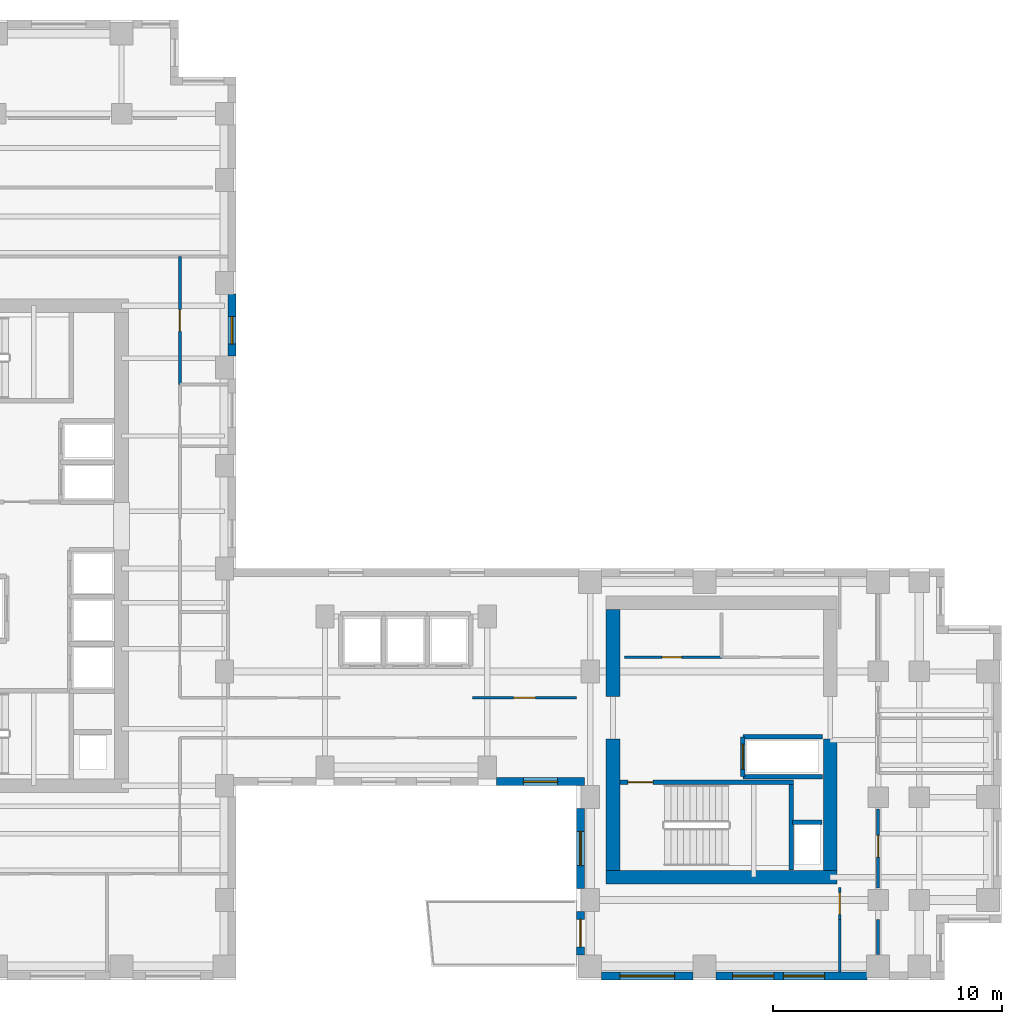
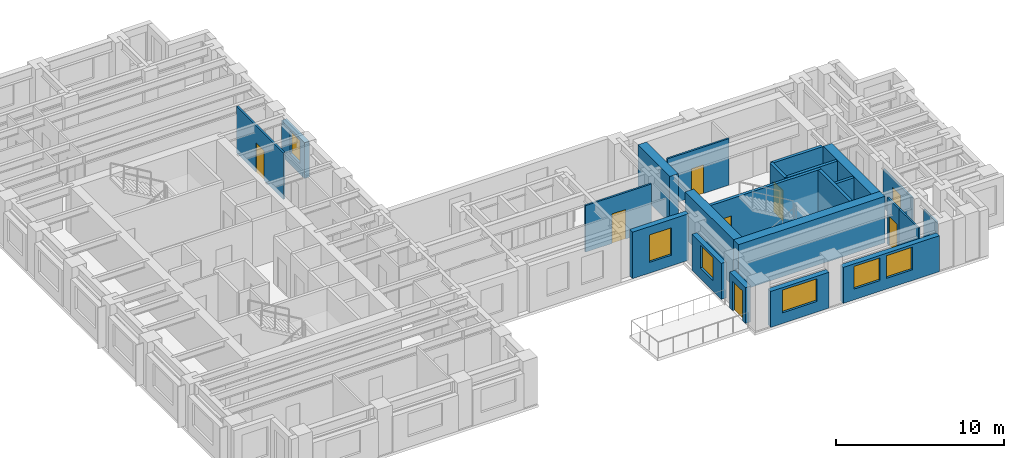
# One storey, part 6 of 11: 23 walls, 8 doors, 6 windows, 14 openings.
"""IFC4 building model written with IfcOpenShell, lengths in metres."""

import ifcopenshell
import ifcopenshell.guid

model = None  # the IFC model being written
_history = None  # IfcOwnerHistory: only IFC2X3 demands one
_inside = {}  # id of a spatial element -> (the spatial element, [elements in it])
_under = {}  # id of a project, library or spatial element -> (it, [spatial elements below it])
_declared = {}  # id of a project -> (the project, [libraries it declares])
_typed = {}  # id of a type object -> (the type object, [elements of that type])
_made_of = {}  # id of a material, layer set ... -> (it, [elements and type objects made of it])


def new_model(schema):
    """Start an empty IFC model of exactly this schema.

    Asked for "IFC4X3", IfcOpenShell would pick the latest addendum, in which some entities
    have other attributes; the version numbers below select the first issue.
    IFC2X3 requires an IfcOwnerHistory on every rooted entity: one is made here for all.
    """
    global model, _history
    if schema == "IFC4X3":
        model = ifcopenshell.file(schema_version=(4, 3, 0, 0))
    else:
        model = ifcopenshell.file(schema=schema)
    _inside.clear()
    _under.clear()
    _declared.clear()
    _typed.clear()
    _made_of.clear()
    _history = None
    if model.schema == "IFC2X3":
        org = make("IfcOrganization", Name="unknown")
        user = make(
            "IfcPersonAndOrganization",
            ThePerson=make("IfcPerson", FamilyName="unknown"),
            TheOrganization=org,
        )
        app = make(
            "IfcApplication",
            ApplicationDeveloper=org,
            Version="unknown",
            ApplicationFullName="unknown",
            ApplicationIdentifier="unknown",
        )
        _history = make(
            "IfcOwnerHistory",
            OwningUser=user,
            OwningApplication=app,
            ChangeAction="ADDED",
            CreationDate=0,
        )
    return model


def make(cls, **values):
    """One entity of the class cls with the attributes given. An attribute that is None is left unset."""
    return model.create_entity(
        cls, **{name: value for name, value in values.items() if value is not None}
    )


def rooted(cls, **values):
    """An entity with a GlobalId (a new one), such as an element, a storey or a relation."""
    return make(cls, GlobalId=ifcopenshell.guid.new(), OwnerHistory=_history, **values)


def si_unit(unit_type, name, prefix=None):
    """IfcSIUnit, for example si_unit("LENGTHUNIT", "METRE", prefix="MILLI")."""
    return make("IfcSIUnit", UnitType=unit_type, Prefix=prefix, Name=name)


def assignment(units):
    """IfcUnitAssignment: the units of a project."""
    return None if units is None else make("IfcUnitAssignment", Units=units)


def point(xyz):
    """IfcCartesianPoint."""
    return None if xyz is None else make("IfcCartesianPoint", Coordinates=xyz)


def direction(xyz):
    """IfcDirection."""
    return None if xyz is None else make("IfcDirection", DirectionRatios=xyz)


def frame(location, z_axis=None, x_axis=None):
    """IfcAxis2Placement3D, a coordinate frame: its origin and axes. An axis left out is left unset."""
    return make(
        "IfcAxis2Placement3D",
        Location=point(location),
        Axis=direction(z_axis),
        RefDirection=direction(x_axis),
    )


def frame_2d(location, x_axis=None):
    """IfcAxis2Placement2D, a coordinate frame in the plane: its origin and x axis."""
    return make(
        "IfcAxis2Placement2D", Location=point(location), RefDirection=direction(x_axis)
    )


def origin():
    """The frame at (0, 0, 0) with its axes left unset."""
    return frame((0.0, 0.0, 0.0))


def place(relative_to, where):
    """IfcLocalPlacement: puts the frame where relative to a parent placement (None: the world)."""
    return make(
        "IfcLocalPlacement", PlacementRelTo=relative_to, RelativePlacement=where
    )


def context(
    kind, dimensions, precision=None, world=None, true_north=None, identifier=None
):
    """IfcGeometricRepresentationContext, for example the 3D "Model" context."""
    return make(
        "IfcGeometricRepresentationContext",
        ContextIdentifier=identifier,
        ContextType=kind,
        CoordinateSpaceDimension=dimensions,
        Precision=precision,
        WorldCoordinateSystem=world,
        TrueNorth=true_north,
    )


def subcontext(parent, identifier, kind, view, scale=None):
    """IfcGeometricRepresentationSubContext, for example "Body" below "Model"."""
    return make(
        "IfcGeometricRepresentationSubContext",
        ContextIdentifier=identifier,
        ContextType=kind,
        ParentContext=parent,
        TargetScale=scale,
        TargetView=view,
    )


def project(units=None, contexts=None):
    """IfcProject with its units and contexts."""
    return rooted(
        "IfcProject",
        Name="project",
        RepresentationContexts=contexts,
        UnitsInContext=assignment(units),
    )


def spatial(cls, under=None, at=None, **own):
    """A site, building, storey or space (cls), placed at a placement, below another one or the project."""
    s = rooted(cls, ObjectPlacement=at, **own)
    if under is not None:
        _under.setdefault(under.id(), (under, []))[1].append(s)
    return s


def profile(cls, at=None, kind="AREA", **sizes):
    """A parametric profile (cls). Its sizes go by their IFC names, for example OverallWidth=200.0."""
    return make(cls, ProfileType=kind, Position=at, **sizes)


def rectangle(**sizes):
    """IfcRectangleProfileDef."""
    return profile("IfcRectangleProfileDef", **sizes)


def extrude(swept, where, along, depth):
    """IfcExtrudedAreaSolid: the profile swept, set in the frame where, extruded along a direction by depth."""
    return make(
        "IfcExtrudedAreaSolid",
        SweptArea=swept,
        Position=where,
        ExtrudedDirection=direction(along),
        Depth=depth,
    )


def shape(context_of_items, identifier, shape_type, items):
    """IfcShapeRepresentation: the items that make up one representation, for example the "Body"."""
    return make(
        "IfcShapeRepresentation",
        ContextOfItems=context_of_items,
        RepresentationIdentifier=identifier,
        RepresentationType=shape_type,
        Items=items,
    )


def source(mapping_origin, context_of_items, identifier, shape_type, items):
    """IfcRepresentationMap: a shape defined once, which mapped items show again and again."""
    return make(
        "IfcRepresentationMap",
        MappingOrigin=mapping_origin,
        MappedRepresentation=shape(context_of_items, identifier, shape_type, items),
    )


def transform(
    local_origin,
    x_axis=None,
    y_axis=None,
    z_axis=None,
    scale=None,
    scale2=None,
    scale3=None,
    uniform=True,
):
    """IfcCartesianTransformationOperator3D, or its non-uniform kind. x_axis, y_axis, z_axis: its Axis1, 2, 3."""
    if uniform:
        return make(
            "IfcCartesianTransformationOperator3D",
            Axis1=direction(x_axis),
            Axis2=direction(y_axis),
            LocalOrigin=point(local_origin),
            Scale=scale,
            Axis3=direction(z_axis),
        )
    return make(
        "IfcCartesianTransformationOperator3DnonUniform",
        Axis1=direction(x_axis),
        Axis2=direction(y_axis),
        LocalOrigin=point(local_origin),
        Scale=scale,
        Axis3=direction(z_axis),
        Scale2=scale2,
        Scale3=scale3,
    )


def mapped(mapping_source, mapping_target):
    """IfcMappedItem: shows the shape of a source again, moved by a transform."""
    return make(
        "IfcMappedItem", MappingSource=mapping_source, MappingTarget=mapping_target
    )


def material(Name=None, Category=None):
    """IfcMaterial."""
    return make("IfcMaterial", Name=Name, Category=Category)


def layer(
    of_material, thickness, ventilated=None, Name=None, Category=None, Priority=None
):
    """IfcMaterialLayer: one layer of a wall or slab, of a material (None: an air gap)."""
    return make(
        "IfcMaterialLayer",
        Material=of_material,
        LayerThickness=thickness,
        IsVentilated=ventilated,
        Name=Name,
        Category=Category,
        Priority=Priority,
    )


def layer_set(layers, Name=None):
    """IfcMaterialLayerSet."""
    return make("IfcMaterialLayerSet", MaterialLayers=layers, LayerSetName=Name)


def made_of(thing, what):
    """Note that an element or type object is made of a material, layer set ...; save() writes the relation."""
    if what is not None:
        _made_of.setdefault(what.id(), (what, []))[1].append(thing)
    return thing


def type_object(cls, material=None, **own):
    """A type object (cls), such as IfcWallType, which elements share."""
    return made_of(rooted(cls, **own), material)


def element(
    cls,
    number,
    at=None,
    inside=None,
    cuts=None,
    type_object=None,
    material=None,
    context=None,
    identifier="Body",
    shape_type=None,
    held_by="IfcProductDefinitionShape",
    body=None,
    shapes=None,
    **own,
):
    """One element of the class cls, such as IfcWall. Its Tag is "e" and its number.

    at: its placement. inside: the storey or other place that contains it. cuts: it is an
    opening in that element (IfcRelVoidsElement). A single representation is given by context,
    identifier, shape_type and body (its items); several are given by shapes. held_by: the class
    of the entity that holds the representations. save() writes the other relations.
    """
    e = rooted(cls, Tag="e%d" % number, ObjectPlacement=at, **own)
    if body is not None:
        shapes = [shape(context, identifier, shape_type, body)]
    if shapes is not None:
        e.Representation = make(held_by, Representations=shapes)
    if inside is not None:
        _inside.setdefault(inside.id(), (inside, []))[1].append(e)
    if cuts is not None:
        rooted(
            "IfcRelVoidsElement", RelatingBuildingElement=cuts, RelatedOpeningElement=e
        )
    if type_object is not None:
        _typed.setdefault(type_object.id(), (type_object, []))[1].append(e)
    return made_of(e, material)


def fill(opening, filler):
    """IfcRelFillsElement: the door or window that sits in an opening."""
    return rooted(
        "IfcRelFillsElement",
        RelatingOpeningElement=opening,
        RelatedBuildingElement=filler,
    )


def aggregate(whole, parts):
    """IfcRelAggregates: a whole, such as a stair, and the parts it consists of."""
    return rooted("IfcRelAggregates", RelatingObject=whole, RelatedObjects=parts)


def save(model, path):
    """Write the relations noted so far, then the file.

    IfcRelAggregates (storeys below a building ...), IfcRelContainedInSpatialStructure (elements
    in a storey), IfcRelDefinesByType, IfcRelAssociatesMaterial and IfcRelDeclares: one each for
    every whole, place, type object, material and project.
    """
    for whole, parts in _under.values():
        aggregate(whole, parts)
    for where, things in _inside.values():
        rooted(
            "IfcRelContainedInSpatialStructure",
            RelatedElements=things,
            RelatingStructure=where,
        )
    for kind, things in _typed.values():
        rooted("IfcRelDefinesByType", RelatedObjects=things, RelatingType=kind)
    for what, things in _made_of.values():
        rooted("IfcRelAssociatesMaterial", RelatedObjects=things, RelatingMaterial=what)
    for by, libraries in _declared.values():
        rooted("IfcRelDeclares", RelatingContext=by, RelatedDefinitions=libraries)
    model.write(path)


model = new_model("IFC4")

# Units and contexts
model_context = context("Model", 3, precision=1e-05, world=origin(), true_north=direction((0.0, 1.0)))
body_context = subcontext(model_context, "Body", "Model", "MODEL_VIEW")
ifc_project = project(units=[si_unit("LENGTHUNIT", "METRE"), si_unit("AREAUNIT", "SQUARE_METRE"), si_unit("VOLUMEUNIT", "CUBIC_METRE"), si_unit("PLANEANGLEUNIT", "RADIAN"), si_unit("MASSUNIT", "GRAM", prefix="KILO")], contexts=[model_context])

# Site, building, storey
site_placement = place(None, origin())
site = spatial("IfcSite", under=ifc_project, at=site_placement, CompositionType="ELEMENT")
building_placement = place(site_placement, origin())
building = spatial("IfcBuilding", under=site, at=building_placement, Name="Kharzan Plaza Tower", CompositionType="ELEMENT")
storey_placement = place(building_placement, frame((0.0, 0.0, 193.5)))
storey = spatial("IfcBuildingStorey", under=building, at=storey_placement, Name="L52", CompositionType="ELEMENT", Elevation=193.5)

# Wall, opening, window
ifc_material_1 = material(Name="Concrete C40/50", Category="concrete")
ifc_layer_1 = layer(ifc_material_1, 0.35009765625)
ifc_layer_set_1 = layer_set([ifc_layer_1], Name="Concrete C40/50")
wall_type_1 = type_object("IfcWallType", Name="WL-EXT-MAS-Z3", PredefinedType="SOLIDWALL", material=ifc_layer_set_1)
wall_1_placement = place(storey_placement, frame((30.89794921875, 8.675048828125, 0.0), z_axis=(0.0, 0.0, 1.0), x_axis=(1.0, 0.0, 0.0)))
wall_1 = element("IfcWall", 1, at=wall_1_placement, inside=storey, type_object=wall_type_1, Name="L52 Masonry-Frame Exterior Wall 28", PredefinedType="SOLIDWALL", context=body_context, shape_type="SweptSolid", body=[
    extrude(rectangle(XDim=3.85205078125, YDim=0.35009765625, at=frame_2d((1.926025390625, 0.0))), origin(), (0.0, 0.0, 1.0), 3.385009765625),
])
opening_1_placement = place(wall_1_placement, frame((1.176025390625, 0.0, 0.780029296875)))
opening_1 = element("IfcOpeningElement", 2, at=opening_1_placement, cuts=wall_1, Name="Opening W5", PredefinedType="OPENING", context=body_context, shape_type="SweptSolid", body=[
    extrude(rectangle(XDim=1.5, YDim=2.0, at=frame_2d((0.75, 1.0))), frame((0.0, 0.18505859375, 0.0), z_axis=(0.0, -1.0, 0.0), x_axis=(1.0, 0.0, 0.0)), (0.0, 0.0, 1.0), 0.3701171875),
])
ifc_material_2 = material(Name="Low-E Double Glazing", Category="glass")
window_type_1 = type_object("IfcWindowType", Name="WN-SLT-1500x2000", PartitioningType="SINGLE_PANEL", PredefinedType="WINDOW", material=ifc_material_2)
shared_shape_1 = source(origin(), body_context, "Body", "SweptSolid", [
    extrude(rectangle(XDim=1.5, YDim=2.0, at=frame_2d((0.75, 1.0))), frame((0.0, 0.030029296875, 0.0), z_axis=(0.0, -1.0, 0.0), x_axis=(1.0, 0.0, 0.0)), (0.0, 0.0, 1.0), 0.06005859375),
])
window_1_placement = place(opening_1_placement, origin())
window_1 = element("IfcWindow", 3, at=window_1_placement, inside=storey, type_object=window_type_1, Name="L52 Recessed Solar-Control Window 28-1", OverallHeight=2.0, OverallWidth=1.5, PartitioningType="SINGLE_PANEL", PredefinedType="WINDOW", context=body_context, shape_type="MappedRepresentation", body=[
    mapped(shared_shape_1, transform((0.0, 0.0, 0.0), x_axis=(1.0, 0.0, 0.0), y_axis=(0.0, 1.0, 0.0), z_axis=(0.0, 0.0, 1.0))),
])
fill(opening_1, window_1)

wall_2_placement = place(storey_placement, frame((34.574951171875, 7.501953125, 0.0), z_axis=(0.0, 0.0, 1.0), x_axis=(0.0, -1.0, 0.0)))
wall_2 = element("IfcWall", 4, at=wall_2_placement, inside=storey, type_object=wall_type_1, Name="L52 Masonry-Frame Exterior Wall 29", PredefinedType="SOLIDWALL", context=body_context, shape_type="SweptSolid", body=[
    extrude(rectangle(XDim=3.50390625, YDim=0.35009765625, at=frame_2d((1.751953125, 0.0))), origin(), (0.0, 0.0, 1.0), 2.612060546875),
])
opening_2_placement = place(wall_2_placement, frame((1.001953125, 0.0, 0.780029296875)))
opening_2 = element("IfcOpeningElement", 5, at=opening_2_placement, cuts=wall_2, Name="Opening W5", PredefinedType="OPENING", context=body_context, shape_type="SweptSolid", body=[
    extrude(rectangle(XDim=1.5, YDim=1.652099609375, at=frame_2d((0.75, 0.826171875))), frame((0.0, 0.18505859375, 0.0), z_axis=(0.0, -1.0, 0.0), x_axis=(1.0, 0.0, 0.0)), (0.0, 0.0, 1.0), 0.3701171875),
])
shared_shape_2 = source(origin(), body_context, "Body", "SweptSolid", [
    extrude(rectangle(XDim=1.5, YDim=1.652099609375, at=frame_2d((0.75, 0.826171875))), frame((0.0, 0.030029296875, 0.0), z_axis=(0.0, -1.0, 0.0), x_axis=(1.0, 0.0, 0.0)), (0.0, 0.0, 1.0), 0.06005859375),
])
window_2_placement = place(opening_2_placement, origin())
window_2 = element("IfcWindow", 6, at=window_2_placement, inside=storey, type_object=window_type_1, Name="L52 Recessed Solar-Control Window 29-1", OverallHeight=1.652099609375, OverallWidth=1.5, PartitioningType="SINGLE_PANEL", PredefinedType="WINDOW", context=body_context, shape_type="MappedRepresentation", body=[
    mapped(shared_shape_2, transform((0.0, 0.0, 0.0), x_axis=(1.0, 0.0, 0.0), y_axis=(0.0, 1.0, 0.0), z_axis=(0.0, 0.0, 1.0))),
])
fill(opening_2, window_2)

# Wall, opening, door
wall_3_placement = place(storey_placement, frame((34.574951171875, 3.001953125, 0.0), z_axis=(0.0, 0.0, 1.0), x_axis=(0.0, -1.0, 0.0)))
wall_3 = element("IfcWall", 7, at=wall_3_placement, inside=storey, type_object=wall_type_1, Name="L52 Masonry-Frame Exterior Wall 30", PredefinedType="SOLIDWALL", context=body_context, shape_type="SweptSolid", body=[
    extrude(rectangle(XDim=1.904052734375, YDim=0.35009765625, at=frame_2d((0.9521484375, 0.0))), origin(), (0.0, 0.0, 1.0), 2.612060546875),
])
opening_3_placement = place(wall_3_placement, frame((0.35205078125, 0.0, 0.0)))
opening_3 = element("IfcOpeningElement", 8, at=opening_3_placement, cuts=wall_3, Name="Opening ED3", PredefinedType="OPENING", context=body_context, shape_type="SweptSolid", body=[
    extrude(rectangle(XDim=1.199951171875, YDim=2.14990234375, at=frame_2d((0.60009765625, 1.074951171875))), frame((0.0, 0.18505859375, 0.0), z_axis=(0.0, -1.0, 0.0), x_axis=(1.0, 0.0, 0.0)), (0.0, 0.0, 1.0), 0.3701171875),
])
ifc_material_3 = material(Name="Thermally Broken Anodized Bronze Aluminium", Category="aluminium")
door_type_1 = type_object("IfcDoorType", Name="DR-EXT-TRAY-1200", OperationType="SINGLE_SWING_LEFT", PredefinedType="DOOR", material=ifc_material_3)
shared_shape_3 = source(origin(), body_context, "Body", "SweptSolid", [
    extrude(rectangle(XDim=1.199951171875, YDim=2.14990234375, at=frame_2d((0.60009765625, 1.074951171875))), frame((0.0, 0.02490234375, 0.0), z_axis=(0.0, -1.0, 0.0), x_axis=(1.0, 0.0, 0.0)), (0.0, 0.0, 1.0), 0.050048828125),
])
door_1_placement = place(opening_3_placement, frame((1.199951171875, 0.0, 0.0), z_axis=(0.0, 0.0, 1.0), x_axis=(-1.0, 0.0, 0.0)))
door_1 = element("IfcDoor", 9, at=door_1_placement, inside=storey, type_object=door_type_1, Name="L52 Cantilevered Sky-Terrace Tray Access Door", OperationType="SINGLE_SWING_LEFT", OverallHeight=2.14990234375, OverallWidth=1.199951171875, PredefinedType="DOOR", context=body_context, shape_type="MappedRepresentation", body=[
    mapped(shared_shape_3, transform((0.0, 0.0, 0.0), x_axis=(1.0, 0.0, 0.0), y_axis=(0.0, 1.0, 0.0), z_axis=(0.0, 0.0, 1.0))),
])
fill(opening_3, door_1)

# Wall, opening, window
wall_4_placement = place(storey_placement, frame((35.498046875, 0.175048828125, 0.0), z_axis=(0.0, 0.0, 1.0), x_axis=(1.0, 0.0, 0.0)))
wall_4 = element("IfcWall", 10, at=wall_4_placement, inside=storey, type_object=wall_type_1, Name="L52 Masonry-Frame Exterior Wall 31", PredefinedType="SOLIDWALL", context=body_context, shape_type="SweptSolid", body=[
    extrude(rectangle(XDim=4.00390625, YDim=0.35009765625, at=frame_2d((2.001953125, 0.0))), origin(), (0.0, 0.0, 1.0), 2.612060546875),
])
opening_4_placement = place(wall_4_placement, frame((0.802001953125, 0.0, 0.780029296875)))
opening_4 = element("IfcOpeningElement", 11, at=opening_4_placement, cuts=wall_4, Name="Opening W2", PredefinedType="OPENING", context=body_context, shape_type="SweptSolid", body=[
    extrude(rectangle(XDim=2.39990234375, YDim=1.652099609375, at=frame_2d((1.199951171875, 0.826171875))), frame((0.0, 0.18505859375, 0.0), z_axis=(0.0, -1.0, 0.0), x_axis=(1.0, 0.0, 0.0)), (0.0, 0.0, 1.0), 0.3701171875),
])
window_type_2 = type_object("IfcWindowType", Name="WN-REC-2400x2100", PartitioningType="SINGLE_PANEL", PredefinedType="WINDOW", material=ifc_material_2)
shared_shape_4 = source(origin(), body_context, "Body", "SweptSolid", [
    extrude(rectangle(XDim=2.39990234375, YDim=1.652099609375, at=frame_2d((1.199951171875, 0.826171875))), frame((0.0, 0.030029296875, 0.0), z_axis=(0.0, -1.0, 0.0), x_axis=(1.0, 0.0, 0.0)), (0.0, 0.0, 1.0), 0.06005859375),
])
window_3_placement = place(opening_4_placement, origin())
window_3 = element("IfcWindow", 12, at=window_3_placement, inside=storey, type_object=window_type_2, Name="L52 Wide Recessed Solar-Control Window 31-1", OverallHeight=1.652099609375, OverallWidth=2.39990234375, PartitioningType="SINGLE_PANEL", PredefinedType="WINDOW", context=body_context, shape_type="MappedRepresentation", body=[
    mapped(shared_shape_4, transform((0.0, 0.0, 0.0), x_axis=(1.0, 0.0, 0.0), y_axis=(0.0, 1.0, 0.0), z_axis=(0.0, 0.0, 1.0))),
])
fill(opening_4, window_3)

# Wall, openings, windows
wall_5_placement = place(storey_placement, frame((40.498046875, 0.175048828125, 0.0), z_axis=(0.0, 0.0, 1.0), x_axis=(1.0, 0.0, 0.0)))
wall_5 = element("IfcWall", 13, at=wall_5_placement, inside=storey, type_object=wall_type_1, Name="L52 Masonry-Frame Exterior Wall 32", PredefinedType="SOLIDWALL", context=body_context, shape_type="SweptSolid", body=[
    extrude(rectangle(XDim=6.60400390625, YDim=0.35009765625, at=frame_2d((3.302001953125, 0.0))), origin(), (0.0, 0.0, 1.0), 2.612060546875),
])
opening_5_placement = place(wall_5_placement, frame((0.7373046875, 0.0, 0.780029296875)))
opening_5 = element("IfcOpeningElement", 14, at=opening_5_placement, cuts=wall_5, Name="Opening W1", PredefinedType="OPENING", context=body_context, shape_type="SweptSolid", body=[
    extrude(rectangle(XDim=1.800048828125, YDim=1.652099609375, at=frame_2d((0.89990234375, 0.826171875))), frame((0.0, 0.18505859375, 0.0), z_axis=(0.0, -1.0, 0.0), x_axis=(1.0, 0.0, 0.0)), (0.0, 0.0, 1.0), 0.3701171875),
])
opening_6_placement = place(wall_5_placement, frame((2.95458984375, 0.0, 0.780029296875)))
opening_6 = element("IfcOpeningElement", 15, at=opening_6_placement, cuts=wall_5, Name="Opening W1", PredefinedType="OPENING", context=body_context, shape_type="SweptSolid", body=[
    extrude(rectangle(XDim=1.800048828125, YDim=1.652099609375, at=frame_2d((0.89990234375, 0.826171875))), frame((0.0, 0.18505859375, 0.0), z_axis=(0.0, -1.0, 0.0), x_axis=(1.0, 0.0, 0.0)), (0.0, 0.0, 1.0), 0.3701171875),
])
window_type_3 = type_object("IfcWindowType", Name="WN-REC-1800x2100", PartitioningType="SINGLE_PANEL", PredefinedType="WINDOW", material=ifc_material_2)
shared_shape_5 = source(origin(), body_context, "Body", "SweptSolid", [
    extrude(rectangle(XDim=1.800048828125, YDim=1.652099609375, at=frame_2d((0.89990234375, 0.826171875))), frame((0.0, 0.030029296875, 0.0), z_axis=(0.0, -1.0, 0.0), x_axis=(1.0, 0.0, 0.0)), (0.0, 0.0, 1.0), 0.06005859375),
])
window_4_placement = place(opening_5_placement, origin())
window_4 = element("IfcWindow", 16, at=window_4_placement, inside=storey, type_object=window_type_3, Name="L52 Recessed Solar-Control Window 32-1", OverallHeight=1.652099609375, OverallWidth=1.800048828125, PartitioningType="SINGLE_PANEL", PredefinedType="WINDOW", context=body_context, shape_type="MappedRepresentation", body=[
    mapped(shared_shape_5, transform((0.0, 0.0, 0.0), x_axis=(1.0, 0.0, 0.0), y_axis=(0.0, 1.0, 0.0), z_axis=(0.0, 0.0, 1.0))),
])
fill(opening_5, window_4)
window_5_placement = place(opening_6_placement, origin())
window_5 = element("IfcWindow", 17, at=window_5_placement, inside=storey, type_object=window_type_3, Name="L52 Recessed Solar-Control Window 32-2", OverallHeight=1.652099609375, OverallWidth=1.800048828125, PartitioningType="SINGLE_PANEL", PredefinedType="WINDOW", context=body_context, shape_type="MappedRepresentation", body=[
    mapped(shared_shape_5, transform((0.0, 0.0, 0.0), x_axis=(1.0, 0.0, 0.0), y_axis=(0.0, 1.0, 0.0), z_axis=(0.0, 0.0, 1.0))),
])
fill(opening_6, window_5)

# Wall, opening, window
wall_6_placement = place(storey_placement, frame((19.324951171875, 27.298095703125, 0.0), z_axis=(0.0, 0.0, 1.0), x_axis=(0.0, 1.0, 0.0)))
wall_6 = element("IfcWall", 18, at=wall_6_placement, inside=storey, type_object=wall_type_1, Name="L52 Masonry-Frame Exterior Wall 49", PredefinedType="SOLIDWALL", context=body_context, shape_type="SweptSolid", body=[
    extrude(rectangle(XDim=2.703857421875, YDim=0.35009765625, at=frame_2d((1.35205078125, 0.0))), origin(), (0.0, 0.0, 1.0), 2.612060546875),
])
opening_7_placement = place(wall_6_placement, frame((0.523681640625, 0.0, 0.780029296875)))
opening_7 = element("IfcOpeningElement", 19, at=opening_7_placement, cuts=wall_6, Name="Opening W3", PredefinedType="OPENING", context=body_context, shape_type="SweptSolid", body=[
    extrude(rectangle(XDim=1.199951171875, YDim=1.652099609375, at=frame_2d((0.60009765625, 0.826171875))), frame((0.0, 0.18505859375, 0.0), z_axis=(0.0, -1.0, 0.0), x_axis=(1.0, 0.0, 0.0)), (0.0, 0.0, 1.0), 0.3701171875),
])
window_type_4 = type_object("IfcWindowType", Name="WN-REC-1200x2100", PartitioningType="SINGLE_PANEL", PredefinedType="WINDOW", material=ifc_material_2)
shared_shape_6 = source(origin(), body_context, "Body", "SweptSolid", [
    extrude(rectangle(XDim=1.199951171875, YDim=1.652099609375, at=frame_2d((0.60009765625, 0.826171875))), frame((0.0, 0.030029296875, 0.0), z_axis=(0.0, -1.0, 0.0), x_axis=(1.0, 0.0, 0.0)), (0.0, 0.0, 1.0), 0.06005859375),
])
window_6_placement = place(opening_7_placement, origin())
window_6 = element("IfcWindow", 20, at=window_6_placement, inside=storey, type_object=window_type_4, Name="L52 Recessed Solar-Control Window 49-1", OverallHeight=1.652099609375, OverallWidth=1.199951171875, PartitioningType="SINGLE_PANEL", PredefinedType="WINDOW", context=body_context, shape_type="MappedRepresentation", body=[
    mapped(shared_shape_6, transform((0.0, 0.0, 0.0), x_axis=(1.0, 0.0, 0.0), y_axis=(0.0, 1.0, 0.0), z_axis=(0.0, 0.0, 1.0))),
])
fill(opening_7, window_6)

# Wall, opening, door
ifc_material_4 = material(Name="Fire-Rated Gypsum Board Partition", Category="gypsum")
ifc_layer_2 = layer(ifc_material_4, 0.125)
ifc_layer_set_2 = layer_set([ifc_layer_2], Name="Fire-Rated Gypsum Board Partition")
wall_type_2 = type_object("IfcWallType", Name="WL-INT-PART-125", PredefinedType="PARTITIONING", material=ifc_layer_set_2)
wall_7_placement = place(storey_placement, frame((36.5, 14.1201171875, 0.0), z_axis=(0.0, 0.0, 1.0), x_axis=(1.0, 0.0, 0.0)))
wall_7 = element("IfcWall", 21, at=wall_7_placement, inside=storey, type_object=wall_type_2, Name="L52 Interior Partition CB-RBLS1", PredefinedType="PARTITIONING", context=body_context, shape_type="SweptSolid", body=[
    extrude(rectangle(XDim=4.25, YDim=0.125, at=frame_2d((2.125, 0.0))), origin(), (0.0, 0.0, 1.0), 3.385009765625),
])
opening_8_placement = place(wall_7_placement, frame((1.64990234375, 0.0, 0.0)))
opening_8 = element("IfcOpeningElement", 22, at=opening_8_placement, cuts=wall_7, Name="Opening RD1", PredefinedType="OPENING", context=body_context, shape_type="SweptSolid", body=[
    extrude(rectangle(XDim=0.85009765625, YDim=2.10009765625, at=frame_2d((0.425048828125, 1.050048828125))), frame((0.0, 0.072509765625, 0.0), z_axis=(0.0, -1.0, 0.0), x_axis=(1.0, 0.0, 0.0)), (0.0, 0.0, 1.0), 0.14501953125),
])
ifc_material_5 = material(Name="Powder-Coated Fire-Rated Steel", Category="steel")
door_type_2 = type_object("IfcDoorType", Name="DR-RISER-900", OperationType="NOTDEFINED", PredefinedType="DOOR", material=ifc_material_5)
shared_shape_7 = source(origin(), body_context, "Body", "SweptSolid", [
    extrude(rectangle(XDim=0.85009765625, YDim=2.10009765625, at=frame_2d((0.425048828125, 1.050048828125))), frame((0.0, 0.02490234375, 0.0), z_axis=(0.0, -1.0, 0.0), x_axis=(1.0, 0.0, 0.0)), (0.0, 0.0, 1.0), 0.050048828125),
])
door_2_placement = place(opening_8_placement, origin())
door_2 = element("IfcDoor", 23, at=door_2_placement, inside=storey, type_object=door_type_2, Name="L52 Archive Room Door", OperationType="SINGLE_SWING_RIGHT", OverallHeight=2.10009765625, OverallWidth=0.85009765625, PredefinedType="DOOR", context=body_context, shape_type="MappedRepresentation", body=[
    mapped(shared_shape_7, transform((0.0, 0.0, 0.0), x_axis=(1.0, 0.0, 0.0), y_axis=(0.0, 1.0, 0.0), z_axis=(0.0, 0.0, 1.0))),
])
fill(opening_8, door_2)

wall_8_placement = place(storey_placement, frame((17.050048828125, 26.050048828125, 0.0), z_axis=(0.0, 0.0, 1.0), x_axis=(0.0, 1.0, 0.0)))
wall_8 = element("IfcWall", 24, at=wall_8_placement, inside=storey, type_object=wall_type_2, Name="L52 Interior Partition SH-AEWN3", PredefinedType="PARTITIONING", context=body_context, shape_type="SweptSolid", body=[
    extrude(rectangle(XDim=5.599853515625, YDim=0.125, at=frame_2d((2.7998046875, 0.0))), origin(), (0.0, 0.0, 1.0), 3.385009765625),
])
opening_9_placement = place(wall_8_placement, frame((2.324951171875, 0.0, 0.0)))
opening_9 = element("IfcOpeningElement", 25, at=opening_9_placement, cuts=wall_8, Name="Opening OD1", PredefinedType="OPENING", context=body_context, shape_type="SweptSolid", body=[
    extrude(rectangle(XDim=0.949951171875, YDim=2.14990234375, at=frame_2d((0.47509765625, 1.074951171875))), frame((0.0, 0.072509765625, 0.0), z_axis=(0.0, -1.0, 0.0), x_axis=(1.0, 0.0, 0.0)), (0.0, 0.0, 1.0), 0.14501953125),
])
ifc_material_6 = material(Name="Acoustic Solid-Core Stained Oak", Category="timber")
door_type_3 = type_object("IfcDoorType", Name="DR-OFF-SINGLE", OperationType="NOTDEFINED", PredefinedType="DOOR", material=ifc_material_6)
shared_shape_8 = source(origin(), body_context, "Body", "SweptSolid", [
    extrude(rectangle(XDim=0.949951171875, YDim=2.14990234375, at=frame_2d((0.47509765625, 1.074951171875))), frame((0.0, 0.02490234375, 0.0), z_axis=(0.0, -1.0, 0.0), x_axis=(1.0, 0.0, 0.0)), (0.0, 0.0, 1.0), 0.050048828125),
])
door_3_placement = place(opening_9_placement, origin())
door_3 = element("IfcDoor", 26, at=door_3_placement, inside=storey, type_object=door_type_3, Name="L52 Staff Tea Point Door", OperationType="SINGLE_SWING_LEFT", OverallHeight=2.14990234375, OverallWidth=0.949951171875, PredefinedType="DOOR", context=body_context, shape_type="MappedRepresentation", body=[
    mapped(shared_shape_8, transform((0.0, 0.0, 0.0), x_axis=(1.0, 0.0, 0.0), y_axis=(0.0, 1.0, 0.0), z_axis=(0.0, 0.0, 1.0))),
])
fill(opening_9, door_3)

wall_9_placement = place(storey_placement, frame((47.60009765625, 4.02001953125, 0.0), z_axis=(0.0, 0.0, 1.0), x_axis=(0.0, 1.0, 0.0)))
wall_9 = element("IfcWall", 27, at=wall_9_placement, inside=storey, type_object=wall_type_2, Name="L52 Interior Partition SH-B1W0", PredefinedType="PARTITIONING", context=body_context, shape_type="SweptSolid", body=[
    extrude(rectangle(XDim=3.4599609375, YDim=0.125, at=frame_2d((1.72998046875, 0.0))), origin(), (0.0, 0.0, 1.0), 2.77294921875),
])
opening_10_placement = place(wall_9_placement, frame((1.35498046875, 0.0, 0.0)))
opening_10 = element("IfcOpeningElement", 28, at=opening_10_placement, cuts=wall_9, Name="Opening OD1", PredefinedType="OPENING", context=body_context, shape_type="SweptSolid", body=[
    extrude(rectangle(XDim=0.949951171875, YDim=2.14990234375, at=frame_2d((0.47509765625, 1.074951171875))), frame((0.0, 0.072509765625, 0.0), z_axis=(0.0, -1.0, 0.0), x_axis=(1.0, 0.0, 0.0)), (0.0, 0.0, 1.0), 0.14501953125),
])
door_4_placement = place(opening_10_placement, origin())
door_4 = element("IfcDoor", 29, at=door_4_placement, inside=storey, type_object=door_type_3, Name="L52 Wing B South Studio Door", OperationType="SINGLE_SWING_RIGHT", OverallHeight=2.14990234375, OverallWidth=0.949951171875, PredefinedType="DOOR", context=body_context, shape_type="MappedRepresentation", body=[
    mapped(shared_shape_8, transform((0.0, 0.0, 0.0), x_axis=(1.0, 0.0, 0.0), y_axis=(0.0, 1.0, 0.0), z_axis=(0.0, 0.0, 1.0))),
])
fill(opening_10, door_4)

wall_10_placement = place(storey_placement, frame((45.919921875, 2.64990234375, 0.0), z_axis=(0.0, 0.0, 1.0), x_axis=(0.0, 1.0, 0.0)))
wall_10 = element("IfcWall", 30, at=wall_10_placement, inside=storey, type_object=wall_type_2, Name="L52 Interior Partition SH-RBSE", PredefinedType="PARTITIONING", context=body_context, shape_type="SweptSolid", body=[
    extrude(rectangle(XDim=1.400146484375, YDim=0.125, at=frame_2d((0.7001953125, 0.0))), origin(), (0.0, 0.0, 1.0), 3.385009765625),
])
opening_11_placement = place(wall_10_placement, frame((0.22509765625, 0.0, 0.0)))
opening_11 = element("IfcOpeningElement", 31, at=opening_11_placement, cuts=wall_10, Name="Opening OD1", PredefinedType="OPENING", context=body_context, shape_type="SweptSolid", body=[
    extrude(rectangle(XDim=0.949951171875, YDim=2.14990234375, at=frame_2d((0.47509765625, 1.074951171875))), frame((0.0, 0.072509765625, 0.0), z_axis=(0.0, -1.0, 0.0), x_axis=(1.0, 0.0, 0.0)), (0.0, 0.0, 1.0), 0.14501953125),
])
door_5_placement = place(opening_11_placement, origin())
door_5 = element("IfcDoor", 32, at=door_5_placement, inside=storey, type_object=door_type_3, Name="L52 South-East Corner Office Door", OperationType="SINGLE_SWING_LEFT", OverallHeight=2.14990234375, OverallWidth=0.949951171875, PredefinedType="DOOR", context=body_context, shape_type="MappedRepresentation", body=[
    mapped(shared_shape_8, transform((0.0, 0.0, 0.0), x_axis=(1.0, 0.0, 0.0), y_axis=(0.0, 1.0, 0.0), z_axis=(0.0, 0.0, 1.0))),
])
fill(opening_11, door_5)

wall_11_placement = place(storey_placement, frame((29.85009765625, 12.35009765625, 0.0), z_axis=(0.0, 0.0, 1.0), x_axis=(1.0, 0.0, 0.0)))
wall_11 = element("IfcWall", 33, at=wall_11_placement, inside=storey, type_object=wall_type_2, Name="L52 Interior Partition SH-SPNE1", PredefinedType="PARTITIONING", context=body_context, shape_type="SweptSolid", body=[
    extrude(rectangle(XDim=4.5498046875, YDim=0.125, at=frame_2d((2.27490234375, 0.0))), origin(), (0.0, 0.0, 1.0), 3.385009765625),
])
opening_12_placement = place(wall_11_placement, frame((1.800048828125, 0.0, 0.0)))
opening_12 = element("IfcOpeningElement", 34, at=opening_12_placement, cuts=wall_11, Name="Opening OD1", PredefinedType="OPENING", context=body_context, shape_type="SweptSolid", body=[
    extrude(rectangle(XDim=0.949951171875, YDim=2.14990234375, at=frame_2d((0.47509765625, 1.074951171875))), frame((0.0, 0.072509765625, 0.0), z_axis=(0.0, -1.0, 0.0), x_axis=(1.0, 0.0, 0.0)), (0.0, 0.0, 1.0), 0.14501953125),
])
door_6_placement = place(opening_12_placement, origin())
door_6 = element("IfcDoor", 35, at=door_6_placement, inside=storey, type_object=door_type_3, Name="L52 North-East Spine Door", OperationType="SINGLE_SWING_RIGHT", OverallHeight=2.14990234375, OverallWidth=0.949951171875, PredefinedType="DOOR", context=body_context, shape_type="MappedRepresentation", body=[
    mapped(shared_shape_8, transform((0.0, 0.0, 0.0), x_axis=(1.0, 0.0, 0.0), y_axis=(0.0, 1.0, 0.0), z_axis=(0.0, 0.0, 1.0))),
])
fill(opening_12, door_6)

ifc_layer_3 = layer(ifc_material_1, 0.199951171875)
ifc_layer_set_3 = layer_set([ifc_layer_3], Name="Concrete C40/50")
wall_type_3 = type_object("IfcWallType", Name="WL-INT-SHAFT-200", PredefinedType="PARTITIONING", material=ifc_layer_set_3)
wall_12_placement = place(storey_placement, frame((41.679931640625, 8.89990234375, 0.0), z_axis=(0.0, 0.0, 1.0), x_axis=(0.0, 1.0, 0.0)))
wall_12 = element("IfcWall", 36, at=wall_12_placement, inside=storey, type_object=wall_type_3, Name="L52 Interior Partition SHF-SVL-2-W", PredefinedType="PARTITIONING", context=body_context, shape_type="SweptSolid", body=[
    extrude(rectangle(XDim=1.739990234375, YDim=0.199951171875, at=frame_2d((0.8701171875, 0.0))), origin(), (0.0, 0.0, 1.0), 3.385009765625),
])
opening_13_placement = place(wall_12_placement, frame((0.320068359375, 0.0, 0.0)))
opening_13 = element("IfcOpeningElement", 37, at=opening_13_placement, cuts=wall_12, Name="Opening LD", PredefinedType="OPENING", context=body_context, shape_type="SweptSolid", body=[
    extrude(rectangle(XDim=1.10009765625, YDim=2.199951171875, at=frame_2d((0.550048828125, 1.10009765625))), frame((0.0, 0.10986328125, 0.0), z_axis=(0.0, -1.0, 0.0), x_axis=(1.0, 0.0, 0.0)), (0.0, 0.0, 1.0), 0.219970703125),
])
ifc_material_7 = material(Name="Brushed Stainless Steel", Category="steel")
door_type_4 = type_object("IfcDoorType", Name="DR-LIFT-SLIDE", OperationType="SLIDING_TO_LEFT", PredefinedType="DOOR", material=ifc_material_7)
shared_shape_9 = source(origin(), body_context, "Body", "SweptSolid", [
    extrude(rectangle(XDim=1.10009765625, YDim=2.199951171875, at=frame_2d((0.550048828125, 1.10009765625))), frame((0.0, 0.02490234375, 0.0), z_axis=(0.0, -1.0, 0.0), x_axis=(1.0, 0.0, 0.0)), (0.0, 0.0, 1.0), 0.050048828125),
])
door_7_placement = place(opening_13_placement, origin())
door_7 = element("IfcDoor", 38, at=door_7_placement, inside=storey, type_object=door_type_4, Name="L52 Service Lift SVL-2 Sliding Landing Door", OperationType="SLIDING_TO_LEFT", OverallHeight=2.199951171875, OverallWidth=1.10009765625, PredefinedType="DOOR", context=body_context, shape_type="MappedRepresentation", body=[
    mapped(shared_shape_9, transform((0.0, 0.0, 0.0), x_axis=(1.0, 0.0, 0.0), y_axis=(0.0, 1.0, 0.0), z_axis=(0.0, 0.0, 1.0))),
])
fill(opening_13, door_7)

ifc_material_8 = material(Name="Concrete C50/60", Category="concrete")
ifc_layer_4 = layer(ifc_material_8, 0.199951171875)
ifc_layer_set_4 = layer_set([ifc_layer_4], Name="Concrete C50/60")
wall_type_4 = type_object("IfcWallType", Name="WL-SHAFT-RC200", PredefinedType="SHEAR", material=ifc_layer_set_4)
wall_13_placement = place(storey_placement, frame((36.302001953125, 8.655029296875, 0.0), z_axis=(0.0, 0.0, 1.0), x_axis=(1.0, 0.0, 0.0)))
wall_13 = element("IfcWall", 39, at=wall_13_placement, inside=storey, type_object=wall_type_4, Name="L52 Stair ST-3 North RC Shaft Wall", PredefinedType="SHEAR", context=body_context, shape_type="SweptSolid", body=[
    extrude(rectangle(XDim=7.60302734375, YDim=0.199951171875, at=frame_2d((3.801513671875, 0.0))), origin(), (0.0, 0.0, 1.0), 3.39990234375),
])
opening_14_placement = place(wall_13_placement, frame((0.35009765625, 0.0, 0.0)))
opening_14 = element("IfcOpeningElement", 40, at=opening_14_placement, cuts=wall_13, Name="Opening SD1", PredefinedType="OPENING", context=body_context, shape_type="SweptSolid", body=[
    extrude(rectangle(XDim=1.10009765625, YDim=2.14990234375, at=frame_2d((0.550048828125, 1.074951171875))), frame((0.0, 0.10986328125, 0.0), z_axis=(0.0, -1.0, 0.0), x_axis=(1.0, 0.0, 0.0)), (0.0, 0.0, 1.0), 0.219970703125),
])
ifc_material_9 = material(Name="Fire-Rated Hollow Galvanized Steel", Category="steel")
door_type_5 = type_object("IfcDoorType", Name="DR-STAIR-FD120", OperationType="NOTDEFINED", PredefinedType="DOOR", material=ifc_material_9)
shared_shape_10 = source(origin(), body_context, "Body", "SweptSolid", [
    extrude(rectangle(XDim=1.10009765625, YDim=2.14990234375, at=frame_2d((0.550048828125, 1.074951171875))), frame((0.0, 0.02490234375, 0.0), z_axis=(0.0, -1.0, 0.0), x_axis=(1.0, 0.0, 0.0)), (0.0, 0.0, 1.0), 0.050048828125),
])
door_8_placement = place(opening_14_placement, origin())
door_8 = element("IfcDoor", 41, at=door_8_placement, inside=storey, type_object=door_type_5, Name="L52 Stair ST-3 Fire Exit Door", OperationType="SINGLE_SWING_LEFT", OverallHeight=2.14990234375, OverallWidth=1.10009765625, PredefinedType="DOOR", context=body_context, shape_type="MappedRepresentation", body=[
    mapped(shared_shape_10, transform((0.0, 0.0, 0.0), x_axis=(1.0, 0.0, 0.0), y_axis=(0.0, 1.0, 0.0), z_axis=(0.0, 0.0, 1.0))),
])
fill(opening_14, door_8)

# Walls
ifc_layer_5 = layer(ifc_material_8, 0.60009765625)
ifc_layer_set_5 = layer_set([ifc_layer_5], Name="Concrete C50/60")
wall_type_5 = type_object("IfcWallType", Name="WL-CORE-600", PredefinedType="SHEAR", material=ifc_layer_set_5)
shared_shape_11 = source(origin(), body_context, "Body", "SweptSolid", [
    extrude(rectangle(XDim=5.75, YDim=0.60009765625, at=frame_2d((2.875, 0.0))), origin(), (0.0, 0.0, 1.0), 3.39990234375),
])
for number, where, z_axis, x_axis, name in (
    (42, (45.5, 4.800048828125, 0.0), (0.0, 0.0, 1.0), (0.0, 1.0, 0.0), "L52 CORE-B east shear pier 1"),
    (43, (36.0, 4.800048828125, 0.0), (0.0, 0.0, 1.0), (0.0, 1.0, 0.0), "L52 CORE-B west shear pier 1"),
):
    element("IfcWall", number, at=place(storey_placement, frame(where, z_axis=z_axis, x_axis=x_axis)), inside=storey, type_object=wall_type_5, Name=name, PredefinedType="SHEAR", context=body_context, shape_type="MappedRepresentation", body=[
        mapped(shared_shape_11, transform((0.0, 0.0, 0.0), x_axis=(1.0, 0.0, 0.0), y_axis=(0.0, 1.0, 0.0), z_axis=(0.0, 0.0, 1.0))),
    ])
shared_shape_12 = source(origin(), body_context, "Body", "SweptSolid", [
    extrude(rectangle(XDim=3.800048828125, YDim=0.60009765625, at=frame_2d((1.89990234375, 0.0))), origin(), (0.0, 0.0, 1.0), 3.39990234375),
])
wall_14_placement = place(storey_placement, frame((36.0, 12.39990234375, 0.0), z_axis=(0.0, 0.0, 1.0), x_axis=(0.0, 1.0, 0.0)))
element("IfcWall", 44, at=wall_14_placement, inside=storey, type_object=wall_type_5, Name="L52 CORE-B west shear pier 2", PredefinedType="SHEAR", context=body_context, shape_type="MappedRepresentation", body=[
    mapped(shared_shape_12, transform((0.0, 0.0, 0.0), x_axis=(1.0, 0.0, 0.0), y_axis=(0.0, 1.0, 0.0), z_axis=(0.0, 0.0, 1.0))),
])
shared_shape_13 = source(origin(), body_context, "Body", "SweptSolid", [
    extrude(rectangle(XDim=10.10009765625, YDim=0.60009765625, at=frame_2d((5.050048828125, 0.0))), origin(), (0.0, 0.0, 1.0), 3.39990234375),
])
wall_15_placement = place(storey_placement, frame((35.699951171875, 4.5, 0.0), z_axis=(0.0, 0.0, 1.0), x_axis=(1.0, 0.0, 0.0)))
element("IfcWall", 45, at=wall_15_placement, inside=storey, type_object=wall_type_5, Name="L52 CORE-B south RC shear wall", PredefinedType="SHEAR", context=body_context, shape_type="MappedRepresentation", body=[
    mapped(shared_shape_13, transform((0.0, 0.0, 0.0), x_axis=(1.0, 0.0, 0.0), y_axis=(0.0, 1.0, 0.0), z_axis=(0.0, 0.0, 1.0))),
])
shared_shape_14 = source(origin(), body_context, "Body", "SweptSolid", [
    extrude(rectangle(XDim=1.52978515625, YDim=0.125, at=frame_2d((0.764892578125, 0.0))), origin(), (0.0, 0.0, 1.0), 2.77294921875),
])
wall_16_placement = place(storey_placement, frame((47.60009765625, 1.1201171875, 0.0), z_axis=(0.0, 0.0, 1.0), x_axis=(0.0, 1.0, 0.0)))
element("IfcWall", 46, at=wall_16_placement, inside=storey, type_object=wall_type_2, Name="L52 Interior Partition SH-B1W0S", PredefinedType="PARTITIONING", context=body_context, shape_type="MappedRepresentation", body=[
    mapped(shared_shape_14, transform((0.0, 0.0, 0.0), x_axis=(1.0, 0.0, 0.0), y_axis=(0.0, 1.0, 0.0), z_axis=(0.0, 0.0, 1.0))),
])
shared_shape_15 = source(origin(), body_context, "Body", "SweptSolid", [
    extrude(rectangle(XDim=2.2978515625, YDim=0.125, at=frame_2d((1.14892578125, 0.0))), origin(), (0.0, 0.0, 1.0), 3.385009765625),
])
wall_17_placement = place(storey_placement, frame((45.919921875, 0.35205078125, 0.0), z_axis=(0.0, 0.0, 1.0), x_axis=(0.0, 1.0, 0.0)))
element("IfcWall", 47, at=wall_17_placement, inside=storey, type_object=wall_type_2, Name="L52 Interior Partition SH-RBSE0", PredefinedType="PARTITIONING", context=body_context, shape_type="MappedRepresentation", body=[
    mapped(shared_shape_15, transform((0.0, 0.0, 0.0), x_axis=(1.0, 0.0, 0.0), y_axis=(0.0, 1.0, 0.0), z_axis=(0.0, 0.0, 1.0))),
])
shared_shape_16 = source(origin(), body_context, "Body", "SweptSolid", [
    extrude(rectangle(XDim=1.2998046875, YDim=0.199951171875, at=frame_2d((0.64990234375, 0.0))), origin(), (0.0, 0.0, 1.0), 3.385009765625),
])
wall_18_placement = place(storey_placement, frame((43.85009765625, 6.89990234375, 0.0), z_axis=(0.0, 0.0, 1.0), x_axis=(1.0, 0.0, 0.0)))
element("IfcWall", 48, at=wall_18_placement, inside=storey, type_object=wall_type_3, Name="L52 Interior Partition CB-RSRB-N", PredefinedType="PARTITIONING", context=body_context, shape_type="MappedRepresentation", body=[
    mapped(shared_shape_16, transform((0.0, 0.0, 0.0), x_axis=(1.0, 0.0, 0.0), y_axis=(0.0, 1.0, 0.0), z_axis=(0.0, 0.0, 1.0))),
])
shared_shape_17 = source(origin(), body_context, "Body", "SweptSolid", [
    extrude(rectangle(XDim=3.489990234375, YDim=0.199951171875, at=frame_2d((1.7451171875, 0.0))), origin(), (0.0, 0.0, 1.0), 3.385009765625),
])
for number, where, z_axis, x_axis, name in (
    (49, (41.679931640625, 10.639892578125, 0.0), (0.0, 0.0, 1.0), (1.0, 0.0, 0.0), "L52 Interior Partition SHF-SVL-2-N"),
    (50, (41.679931640625, 8.89990234375, 0.0), (0.0, 0.0, 1.0), (1.0, 0.0, 0.0), "L52 Interior Partition SHF-SVL-2-S"),
):
    element("IfcWall", number, at=place(storey_placement, frame(where, z_axis=z_axis, x_axis=x_axis)), inside=storey, type_object=wall_type_3, Name=name, PredefinedType="PARTITIONING", context=body_context, shape_type="MappedRepresentation", body=[
        mapped(shared_shape_17, transform((0.0, 0.0, 0.0), x_axis=(1.0, 0.0, 0.0), y_axis=(0.0, 1.0, 0.0), z_axis=(0.0, 0.0, 1.0))),
    ])
shared_shape_18 = source(origin(), body_context, "Body", "SweptSolid", [
    extrude(rectangle(XDim=3.7529296875, YDim=0.199951171875, at=frame_2d((1.87646484375, 0.0))), origin(), (0.0, 0.0, 1.0), 3.39990234375),
])
wall_19_placement = place(storey_placement, frame((43.804931640625, 4.802001953125, 0.0), z_axis=(0.0, 0.0, 1.0), x_axis=(0.0, 1.0, 0.0)))
element("IfcWall", 51, at=wall_19_placement, inside=storey, type_object=wall_type_4, Name="L52 Stair ST-3 East RC Shaft Wall", PredefinedType="SHEAR", context=body_context, shape_type="MappedRepresentation", body=[
    mapped(shared_shape_18, transform((0.0, 0.0, 0.0), x_axis=(1.0, 0.0, 0.0), y_axis=(0.0, 1.0, 0.0), z_axis=(0.0, 0.0, 1.0))),
])

save(model, "model.ifc")
